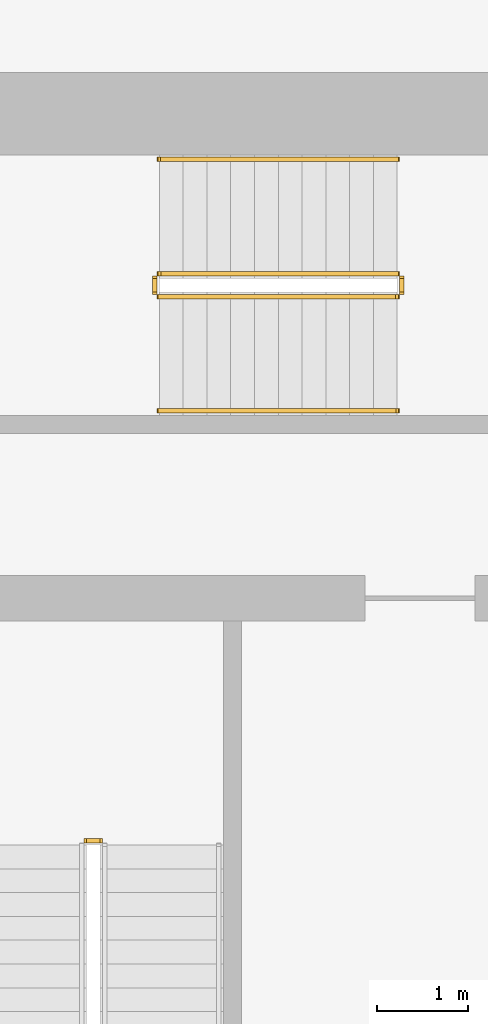
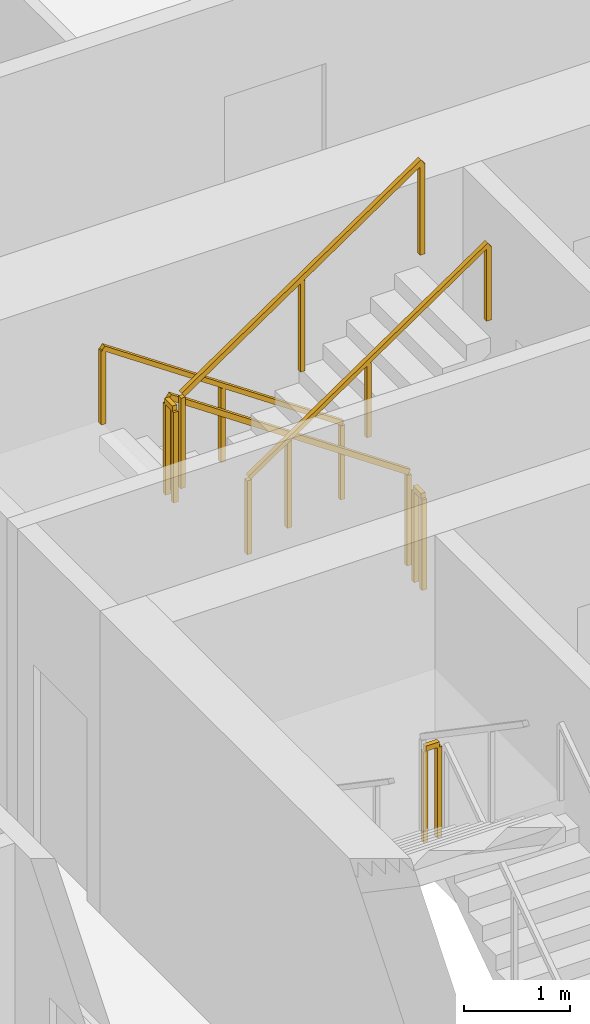
# One storey, part 15 of 16: 7 railings.
"""IFC4 building model written with IfcOpenShell, lengths in metres."""

from ifc_helpers import new_model, si_unit, direction, frame, origin, origin_2d, place, context, subcontext, project, spatial, rectangle, extrude, material, type_object, element, save


model = new_model("IFC4")

# Units and contexts
model_context = context("Model", 3, precision=1e-05, world=origin(), true_north=direction((0.0, 1.0)))
body_context = subcontext(model_context, "Body", "Model", "MODEL_VIEW")
ifc_project = project(units=[si_unit("LENGTHUNIT", "METRE"), si_unit("AREAUNIT", "SQUARE_METRE"), si_unit("VOLUMEUNIT", "CUBIC_METRE"), si_unit("PLANEANGLEUNIT", "RADIAN"), si_unit("MASSUNIT", "GRAM", prefix="KILO")], contexts=[model_context])

# Site, building, storey
site_placement = place(None, origin())
site = spatial("IfcSite", under=ifc_project, at=site_placement, CompositionType="ELEMENT")
building_placement = place(site_placement, origin())
building = spatial("IfcBuilding", under=site, at=building_placement, Name="Khepri Terraces", CompositionType="ELEMENT")
storey_placement = place(building_placement, frame((0.0, 0.0, 27.0)))
storey = spatial("IfcBuildingStorey", under=building, at=storey_placement, Name="L05", CompositionType="ELEMENT", Elevation=27.0)

# Railings
ifc_material = material(Name="Stainless steel 316", Category="steel")
railing_type_1 = type_object("IfcRailingType", Name="RL-CORE-GUARD", PredefinedType="GUARDRAIL", material=ifc_material)
railing_1_placement = place(storey_placement, frame((-3.5, 2.60009765625, 1.949951171875)))
element("IfcRailing", 1, at=railing_1_placement, inside=storey, type_object=railing_type_1, Name="L05 ST-1 stair guard 2", PredefinedType="GUARDRAIL", context=body_context, shape_type="SweptSolid", body=[
    extrude(rectangle(XDim=0.050048828125, YDim=0.06005859375, at=origin_2d()), frame((0.0, 0.0, 1.070068359375), z_axis=(-1.0, 0.0, 0.0), x_axis=(0.0, -1.0, 0.0)), (0.0, 0.0, 1.0), 0.14990234375),
    extrude(rectangle(XDim=0.050048828125, YDim=0.050048828125, at=origin_2d()), origin(), (0.0, 0.0, 1.0), 1.0400390625),
    extrude(rectangle(XDim=0.050048828125, YDim=0.050048828125, at=origin_2d()), frame((-0.14990234375, 0.0, 0.0)), (0.0, 0.0, 1.0), 1.0400390625),
])
railing_2_placement = place(storey_placement, frame((-0.25, 8.800048828125, 0.17724609375)))
element("IfcRailing", 2, at=railing_2_placement, inside=storey, type_object=railing_type_1, Name="L05 ST-3 stair guard 1", PredefinedType="GUARDRAIL", context=body_context, shape_type="SweptSolid", body=[
    extrude(rectangle(XDim=0.050048828125, YDim=0.06005859375, at=origin_2d()), frame((0.0, 0.0, 1.070068359375), z_axis=(-0.826240473404, 0.0, 0.563317565952), x_axis=(0.0, -1.0, 0.0)), (0.0, 0.0, 1.0), 3.14697265625),
    extrude(rectangle(XDim=0.050048828125, YDim=0.050048828125, at=origin_2d()), origin(), (0.0, 0.0, 1.0), 1.0400390625),
    extrude(rectangle(XDim=0.050048828125, YDim=0.050048828125, at=origin_2d()), frame((-1.300048828125, 0.0, 0.88623046875)), (0.0, 0.0, 1.0), 1.0400390625),
    extrude(rectangle(XDim=0.050048828125, YDim=0.050048828125, at=origin_2d()), frame((-2.60009765625, 0.0, 1.772705078125)), (0.0, 0.0, 1.0), 1.0400390625),
])
railing_3_placement = place(storey_placement, frame((-2.89990234375, 8.75, 1.949951171875)))
element("IfcRailing", 3, at=railing_3_placement, inside=storey, type_object=railing_type_1, Name="L05 ST-3 stair guard 2", PredefinedType="GUARDRAIL", context=body_context, shape_type="SweptSolid", body=[
    extrude(rectangle(XDim=0.050048828125, YDim=0.06005859375, at=origin_2d()), frame((0.0, 0.0, 1.070068359375), z_axis=(0.0, -1.0, 0.0), x_axis=(1.0, 0.0, 0.0)), (0.0, 0.0, 1.0), 0.14990234375),
    extrude(rectangle(XDim=0.050048828125, YDim=0.050048828125, at=origin_2d()), origin(), (0.0, 0.0, 1.0), 1.0400390625),
    extrude(rectangle(XDim=0.050048828125, YDim=0.050048828125, at=origin_2d()), frame((0.0, -0.14990234375, 0.0)), (0.0, 0.0, 1.0), 1.0400390625),
])
railing_4_placement = place(storey_placement, frame((-2.85009765625, 8.550048828125, 2.127197265625)))
element("IfcRailing", 4, at=railing_4_placement, inside=storey, type_object=railing_type_1, Name="L05 ST-3 stair guard 3", PredefinedType="GUARDRAIL", context=body_context, shape_type="SweptSolid", body=[
    extrude(rectangle(XDim=0.050048828125, YDim=0.06005859375, at=origin_2d()), frame((0.0, 0.0, 1.070068359375), z_axis=(0.826240473404, 0.0, 0.563317565952), x_axis=(0.0, 1.0, 0.0)), (0.0, 0.0, 1.0), 3.14697265625),
    extrude(rectangle(XDim=0.050048828125, YDim=0.050048828125, at=origin_2d()), origin(), (0.0, 0.0, 1.0), 1.0400390625),
    extrude(rectangle(XDim=0.050048828125, YDim=0.050048828125, at=origin_2d()), frame((1.300048828125, 0.0, 0.88623046875)), (0.0, 0.0, 1.0), 1.0400390625),
    extrude(rectangle(XDim=0.050048828125, YDim=0.050048828125, at=origin_2d()), frame((2.60009765625, 0.0, 1.772705078125)), (0.0, 0.0, 1.0), 1.0400390625),
])
railing_5_placement = place(storey_placement, frame((-0.199951171875, 8.75, 0.0)))
element("IfcRailing", 5, at=railing_5_placement, inside=storey, type_object=railing_type_1, Name="L05 ST-3 stair guard 4", PredefinedType="GUARDRAIL", context=body_context, shape_type="SweptSolid", body=[
    extrude(rectangle(XDim=0.050048828125, YDim=0.06005859375, at=origin_2d()), frame((0.0, 0.0, 1.070068359375), z_axis=(0.0, -1.0, 0.0), x_axis=(1.0, 0.0, 0.0)), (0.0, 0.0, 1.0), 0.14990234375),
    extrude(rectangle(XDim=0.050048828125, YDim=0.050048828125, at=origin_2d()), origin(), (0.0, 0.0, 1.0), 1.0400390625),
    extrude(rectangle(XDim=0.050048828125, YDim=0.050048828125, at=origin_2d()), frame((0.0, -0.14990234375, 0.0)), (0.0, 0.0, 1.0), 1.0400390625),
])
railing_type_2 = type_object("IfcRailingType", Name="RL-CORE-HANDRAIL", PredefinedType="HANDRAIL", material=ifc_material)
railing_6_placement = place(storey_placement, frame((-0.25, 10.050048828125, 0.17724609375)))
element("IfcRailing", 6, at=railing_6_placement, inside=storey, type_object=railing_type_2, Name="L05 ST-3 stair handrail 1", PredefinedType="HANDRAIL", context=body_context, shape_type="SweptSolid", body=[
    extrude(rectangle(XDim=0.050048828125, YDim=0.050048828125, at=origin_2d()), frame((0.0, 0.0, 0.875), z_axis=(-0.826240473404, 0.0, 0.563317565952), x_axis=(0.0, -1.0, 0.0)), (0.0, 0.0, 1.0), 3.14697265625),
    extrude(rectangle(XDim=0.050048828125, YDim=0.050048828125, at=origin_2d()), origin(), (0.0, 0.0, 1.0), 0.849853515625),
    extrude(rectangle(XDim=0.050048828125, YDim=0.050048828125, at=origin_2d()), frame((-1.300048828125, 0.0, 0.88623046875)), (0.0, 0.0, 1.0), 0.849853515625),
    extrude(rectangle(XDim=0.050048828125, YDim=0.050048828125, at=origin_2d()), frame((-2.60009765625, 0.0, 1.772705078125)), (0.0, 0.0, 1.0), 0.849853515625),
])
railing_7_placement = place(storey_placement, frame((-2.85009765625, 7.300048828125, 2.127197265625)))
element("IfcRailing", 7, at=railing_7_placement, inside=storey, type_object=railing_type_2, Name="L05 ST-3 stair handrail 2", PredefinedType="HANDRAIL", context=body_context, shape_type="SweptSolid", body=[
    extrude(rectangle(XDim=0.050048828125, YDim=0.050048828125, at=origin_2d()), frame((0.0, 0.0, 0.875), z_axis=(0.826240473404, 0.0, 0.563317565952), x_axis=(0.0, 1.0, 0.0)), (0.0, 0.0, 1.0), 3.14697265625),
    extrude(rectangle(XDim=0.050048828125, YDim=0.050048828125, at=origin_2d()), origin(), (0.0, 0.0, 1.0), 0.849853515625),
    extrude(rectangle(XDim=0.050048828125, YDim=0.050048828125, at=origin_2d()), frame((1.300048828125, 0.0, 0.88623046875)), (0.0, 0.0, 1.0), 0.849853515625),
    extrude(rectangle(XDim=0.050048828125, YDim=0.050048828125, at=origin_2d()), frame((2.60009765625, 0.0, 1.772705078125)), (0.0, 0.0, 1.0), 0.849853515625),
])

save(model, "model.ifc")
